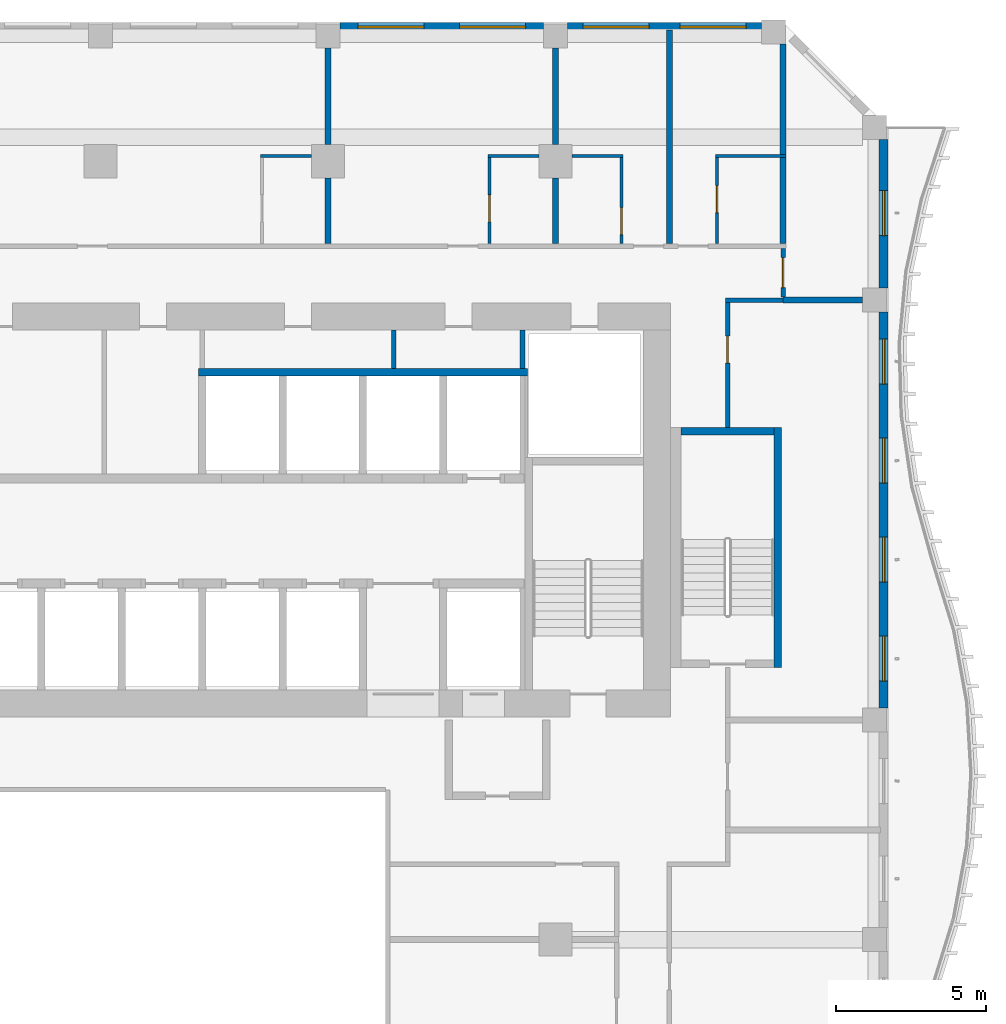
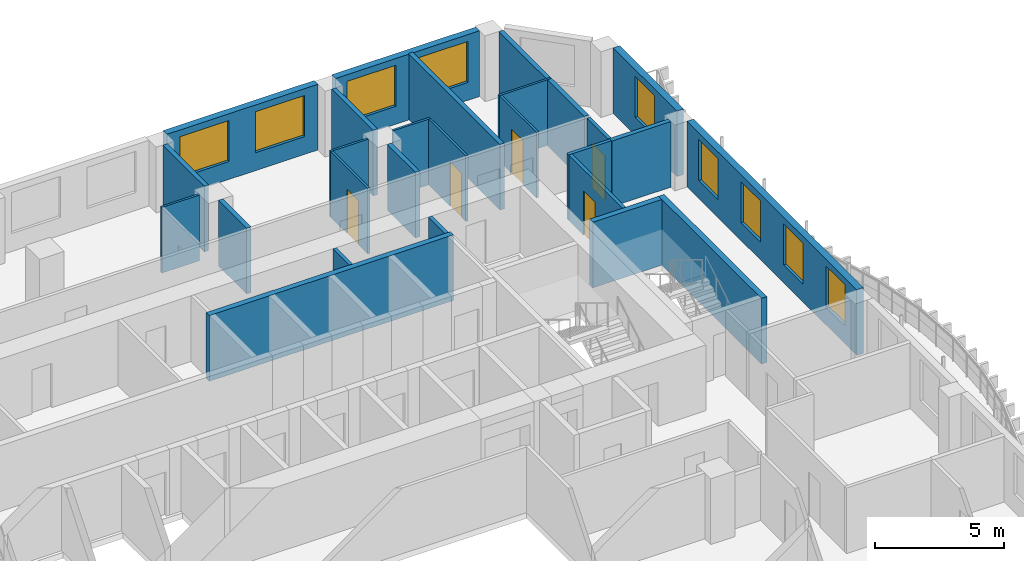
# One storey, part 9 of 22: 27 walls, 9 windows, 5 doors, 14 openings.
"""IFC4 building model written with IfcOpenShell, lengths in metres."""

import ifcopenshell
import ifcopenshell.guid

model = None  # the IFC model being written
_history = None  # IfcOwnerHistory: only IFC2X3 demands one
_inside = {}  # id of a spatial element -> (the spatial element, [elements in it])
_under = {}  # id of a project, library or spatial element -> (it, [spatial elements below it])
_declared = {}  # id of a project -> (the project, [libraries it declares])
_typed = {}  # id of a type object -> (the type object, [elements of that type])
_made_of = {}  # id of a material, layer set ... -> (it, [elements and type objects made of it])


def new_model(schema):
    """Start an empty IFC model of exactly this schema.

    Asked for "IFC4X3", IfcOpenShell would pick the latest addendum, in which some entities
    have other attributes; the version numbers below select the first issue.
    IFC2X3 requires an IfcOwnerHistory on every rooted entity: one is made here for all.
    """
    global model, _history
    if schema == "IFC4X3":
        model = ifcopenshell.file(schema_version=(4, 3, 0, 0))
    else:
        model = ifcopenshell.file(schema=schema)
    _inside.clear()
    _under.clear()
    _declared.clear()
    _typed.clear()
    _made_of.clear()
    _history = None
    if model.schema == "IFC2X3":
        org = make("IfcOrganization", Name="unknown")
        user = make(
            "IfcPersonAndOrganization",
            ThePerson=make("IfcPerson", FamilyName="unknown"),
            TheOrganization=org,
        )
        app = make(
            "IfcApplication",
            ApplicationDeveloper=org,
            Version="unknown",
            ApplicationFullName="unknown",
            ApplicationIdentifier="unknown",
        )
        _history = make(
            "IfcOwnerHistory",
            OwningUser=user,
            OwningApplication=app,
            ChangeAction="ADDED",
            CreationDate=0,
        )
    return model


def make(cls, **values):
    """One entity of the class cls with the attributes given. An attribute that is None is left unset."""
    return model.create_entity(
        cls, **{name: value for name, value in values.items() if value is not None}
    )


def rooted(cls, **values):
    """An entity with a GlobalId (a new one), such as an element, a storey or a relation."""
    return make(cls, GlobalId=ifcopenshell.guid.new(), OwnerHistory=_history, **values)


def si_unit(unit_type, name, prefix=None):
    """IfcSIUnit, for example si_unit("LENGTHUNIT", "METRE", prefix="MILLI")."""
    return make("IfcSIUnit", UnitType=unit_type, Prefix=prefix, Name=name)


def assignment(units):
    """IfcUnitAssignment: the units of a project."""
    return None if units is None else make("IfcUnitAssignment", Units=units)


def point(xyz):
    """IfcCartesianPoint."""
    return None if xyz is None else make("IfcCartesianPoint", Coordinates=xyz)


def direction(xyz):
    """IfcDirection."""
    return None if xyz is None else make("IfcDirection", DirectionRatios=xyz)


def frame(location, z_axis=None, x_axis=None):
    """IfcAxis2Placement3D, a coordinate frame: its origin and axes. An axis left out is left unset."""
    return make(
        "IfcAxis2Placement3D",
        Location=point(location),
        Axis=direction(z_axis),
        RefDirection=direction(x_axis),
    )


def frame_2d(location, x_axis=None):
    """IfcAxis2Placement2D, a coordinate frame in the plane: its origin and x axis."""
    return make(
        "IfcAxis2Placement2D", Location=point(location), RefDirection=direction(x_axis)
    )


def origin():
    """The frame at (0, 0, 0) with its axes left unset."""
    return frame((0.0, 0.0, 0.0))


def place(relative_to, where):
    """IfcLocalPlacement: puts the frame where relative to a parent placement (None: the world)."""
    return make(
        "IfcLocalPlacement", PlacementRelTo=relative_to, RelativePlacement=where
    )


def context(
    kind, dimensions, precision=None, world=None, true_north=None, identifier=None
):
    """IfcGeometricRepresentationContext, for example the 3D "Model" context."""
    return make(
        "IfcGeometricRepresentationContext",
        ContextIdentifier=identifier,
        ContextType=kind,
        CoordinateSpaceDimension=dimensions,
        Precision=precision,
        WorldCoordinateSystem=world,
        TrueNorth=true_north,
    )


def subcontext(parent, identifier, kind, view, scale=None):
    """IfcGeometricRepresentationSubContext, for example "Body" below "Model"."""
    return make(
        "IfcGeometricRepresentationSubContext",
        ContextIdentifier=identifier,
        ContextType=kind,
        ParentContext=parent,
        TargetScale=scale,
        TargetView=view,
    )


def project(units=None, contexts=None):
    """IfcProject with its units and contexts."""
    return rooted(
        "IfcProject",
        Name="project",
        RepresentationContexts=contexts,
        UnitsInContext=assignment(units),
    )


def spatial(cls, under=None, at=None, **own):
    """A site, building, storey or space (cls), placed at a placement, below another one or the project."""
    s = rooted(cls, ObjectPlacement=at, **own)
    if under is not None:
        _under.setdefault(under.id(), (under, []))[1].append(s)
    return s


def profile(cls, at=None, kind="AREA", **sizes):
    """A parametric profile (cls). Its sizes go by their IFC names, for example OverallWidth=200.0."""
    return make(cls, ProfileType=kind, Position=at, **sizes)


def rectangle(**sizes):
    """IfcRectangleProfileDef."""
    return profile("IfcRectangleProfileDef", **sizes)


def extrude(swept, where, along, depth):
    """IfcExtrudedAreaSolid: the profile swept, set in the frame where, extruded along a direction by depth."""
    return make(
        "IfcExtrudedAreaSolid",
        SweptArea=swept,
        Position=where,
        ExtrudedDirection=direction(along),
        Depth=depth,
    )


def shape(context_of_items, identifier, shape_type, items):
    """IfcShapeRepresentation: the items that make up one representation, for example the "Body"."""
    return make(
        "IfcShapeRepresentation",
        ContextOfItems=context_of_items,
        RepresentationIdentifier=identifier,
        RepresentationType=shape_type,
        Items=items,
    )


def source(mapping_origin, context_of_items, identifier, shape_type, items):
    """IfcRepresentationMap: a shape defined once, which mapped items show again and again."""
    return make(
        "IfcRepresentationMap",
        MappingOrigin=mapping_origin,
        MappedRepresentation=shape(context_of_items, identifier, shape_type, items),
    )


def transform(
    local_origin,
    x_axis=None,
    y_axis=None,
    z_axis=None,
    scale=None,
    scale2=None,
    scale3=None,
    uniform=True,
):
    """IfcCartesianTransformationOperator3D, or its non-uniform kind. x_axis, y_axis, z_axis: its Axis1, 2, 3."""
    if uniform:
        return make(
            "IfcCartesianTransformationOperator3D",
            Axis1=direction(x_axis),
            Axis2=direction(y_axis),
            LocalOrigin=point(local_origin),
            Scale=scale,
            Axis3=direction(z_axis),
        )
    return make(
        "IfcCartesianTransformationOperator3DnonUniform",
        Axis1=direction(x_axis),
        Axis2=direction(y_axis),
        LocalOrigin=point(local_origin),
        Scale=scale,
        Axis3=direction(z_axis),
        Scale2=scale2,
        Scale3=scale3,
    )


def mapped(mapping_source, mapping_target):
    """IfcMappedItem: shows the shape of a source again, moved by a transform."""
    return make(
        "IfcMappedItem", MappingSource=mapping_source, MappingTarget=mapping_target
    )


def material(Name=None, Category=None):
    """IfcMaterial."""
    return make("IfcMaterial", Name=Name, Category=Category)


def layer(
    of_material, thickness, ventilated=None, Name=None, Category=None, Priority=None
):
    """IfcMaterialLayer: one layer of a wall or slab, of a material (None: an air gap)."""
    return make(
        "IfcMaterialLayer",
        Material=of_material,
        LayerThickness=thickness,
        IsVentilated=ventilated,
        Name=Name,
        Category=Category,
        Priority=Priority,
    )


def layer_set(layers, Name=None):
    """IfcMaterialLayerSet."""
    return make("IfcMaterialLayerSet", MaterialLayers=layers, LayerSetName=Name)


def made_of(thing, what):
    """Note that an element or type object is made of a material, layer set ...; save() writes the relation."""
    if what is not None:
        _made_of.setdefault(what.id(), (what, []))[1].append(thing)
    return thing


def type_object(cls, material=None, **own):
    """A type object (cls), such as IfcWallType, which elements share."""
    return made_of(rooted(cls, **own), material)


def element(
    cls,
    number,
    at=None,
    inside=None,
    cuts=None,
    type_object=None,
    material=None,
    context=None,
    identifier="Body",
    shape_type=None,
    held_by="IfcProductDefinitionShape",
    body=None,
    shapes=None,
    **own,
):
    """One element of the class cls, such as IfcWall. Its Tag is "e" and its number.

    at: its placement. inside: the storey or other place that contains it. cuts: it is an
    opening in that element (IfcRelVoidsElement). A single representation is given by context,
    identifier, shape_type and body (its items); several are given by shapes. held_by: the class
    of the entity that holds the representations. save() writes the other relations.
    """
    e = rooted(cls, Tag="e%d" % number, ObjectPlacement=at, **own)
    if body is not None:
        shapes = [shape(context, identifier, shape_type, body)]
    if shapes is not None:
        e.Representation = make(held_by, Representations=shapes)
    if inside is not None:
        _inside.setdefault(inside.id(), (inside, []))[1].append(e)
    if cuts is not None:
        rooted(
            "IfcRelVoidsElement", RelatingBuildingElement=cuts, RelatedOpeningElement=e
        )
    if type_object is not None:
        _typed.setdefault(type_object.id(), (type_object, []))[1].append(e)
    return made_of(e, material)


def fill(opening, filler):
    """IfcRelFillsElement: the door or window that sits in an opening."""
    return rooted(
        "IfcRelFillsElement",
        RelatingOpeningElement=opening,
        RelatedBuildingElement=filler,
    )


def aggregate(whole, parts):
    """IfcRelAggregates: a whole, such as a stair, and the parts it consists of."""
    return rooted("IfcRelAggregates", RelatingObject=whole, RelatedObjects=parts)


def save(model, path):
    """Write the relations noted so far, then the file.

    IfcRelAggregates (storeys below a building ...), IfcRelContainedInSpatialStructure (elements
    in a storey), IfcRelDefinesByType, IfcRelAssociatesMaterial and IfcRelDeclares: one each for
    every whole, place, type object, material and project.
    """
    for whole, parts in _under.values():
        aggregate(whole, parts)
    for where, things in _inside.values():
        rooted(
            "IfcRelContainedInSpatialStructure",
            RelatedElements=things,
            RelatingStructure=where,
        )
    for kind, things in _typed.values():
        rooted("IfcRelDefinesByType", RelatedObjects=things, RelatingType=kind)
    for what, things in _made_of.values():
        rooted("IfcRelAssociatesMaterial", RelatedObjects=things, RelatingMaterial=what)
    for by, libraries in _declared.values():
        rooted("IfcRelDeclares", RelatingContext=by, RelatedDefinitions=libraries)
    model.write(path)


model = new_model("IFC4")

# Units and contexts
model_context = context("Model", 3, precision=1e-05, world=origin(), true_north=direction((0.0, 1.0)))
body_context = subcontext(model_context, "Body", "Model", "MODEL_VIEW")
ifc_project = project(units=[si_unit("LENGTHUNIT", "METRE"), si_unit("AREAUNIT", "SQUARE_METRE"), si_unit("VOLUMEUNIT", "CUBIC_METRE"), si_unit("PLANEANGLEUNIT", "RADIAN"), si_unit("MASSUNIT", "GRAM", prefix="KILO")], contexts=[model_context])

# Site, building, storey
site_placement = place(None, origin())
site = spatial("IfcSite", under=ifc_project, at=site_placement, CompositionType="ELEMENT")
building_placement = place(site_placement, origin())
building = spatial("IfcBuilding", under=site, at=building_placement, Name="Kilnfold Tower and Market Hall", CompositionType="ELEMENT")
storey_placement = place(building_placement, frame((0.0, 0.0, 154.10009765625)))
storey = spatial("IfcBuildingStorey", under=building, at=storey_placement, Name="L35", CompositionType="ELEMENT", Elevation=154.10009765625)

# Wall, opening, door
ifc_material_1 = material(Name="Gypsum board on steel studs", Category="steel")
ifc_layer_1 = layer(ifc_material_1, 0.14990234375)
ifc_layer_set_1 = layer_set([ifc_layer_1], Name="Gypsum board on steel studs")
wall_type_1 = type_object("IfcWallType", Name="WALL CORRIDOR 150", PredefinedType="PARTITIONING", material=ifc_layer_set_1)
wall_1_placement = place(storey_placement, frame((21.75, 22.10009765625, 0.0), z_axis=(0.0, 0.0, 1.0), x_axis=(0.0, 1.0, 0.0)))
wall_1 = element("IfcWall", 1, at=wall_1_placement, inside=storey, type_object=wall_type_1, Name="Partition LY23.22", PredefinedType="PARTITIONING", context=body_context, shape_type="SweptSolid", body=[
    extrude(rectangle(XDim=1.625, YDim=0.14990234375, at=frame_2d((0.8125, 0.0))), origin(), (0.0, 0.0, 1.0), 3.119873046875),
])
opening_1_placement = place(wall_1_placement, frame((0.31201171875, 0.0, 0.0)))
opening_1 = element("IfcOpeningElement", 2, at=opening_1_placement, cuts=wall_1, Name="Opening D4", PredefinedType="OPENING", context=body_context, shape_type="SweptSolid", body=[
    extrude(rectangle(XDim=1.0, YDim=2.10009765625, at=frame_2d((0.5, 1.050048828125))), frame((0.0, 0.0849609375, 0.0), z_axis=(0.0, -1.0, 0.0), x_axis=(1.0, 0.0, 0.0)), (0.0, 0.0, 1.0), 0.169921875),
])
ifc_material_2 = material(Name="Timber veneer door leaf in steel frame", Category="steel")
door_type_1 = type_object("IfcDoorType", Name="DOOR SERVICE 1000 X2100", OperationType="NOTDEFINED", PredefinedType="DOOR", material=ifc_material_2)
door_1_placement = place(opening_1_placement, origin())
door_1 = element("IfcDoor", 3, at=door_1_placement, inside=storey, type_object=door_type_1, Name="Door D4", OperationType="SINGLE_SWING_RIGHT", OverallHeight=2.10009765625, OverallWidth=1.0, PredefinedType="DOOR", context=body_context, shape_type="SweptSolid", body=[
    extrude(rectangle(XDim=1.0, YDim=2.10009765625, at=frame_2d((0.5, 1.050048828125))), frame((0.0, 0.02490234375, 0.0), z_axis=(0.0, -1.0, 0.0), x_axis=(1.0, 0.0, 0.0)), (0.0, 0.0, 1.0), 0.050048828125),
])
fill(opening_1, door_1)

# Wall
wall_2_placement = place(storey_placement, frame((19.824951171875, 22.0, 0.0), z_axis=(0.0, 0.0, 1.0), x_axis=(1.0, 0.0, 0.0)))
element("IfcWall", 4, at=wall_2_placement, inside=storey, type_object=wall_type_1, Name="Partition LY23.24", PredefinedType="PARTITIONING", context=body_context, shape_type="SweptSolid", body=[
    extrude(rectangle(XDim=1.925048828125, YDim=0.14990234375, at=frame_2d((0.96240234375, 0.0))), origin(), (0.0, 0.0, 1.0), 3.119873046875),
])

# Wall, opening, door
wall_3_placement = place(storey_placement, frame((19.89990234375, 17.75, 0.0), z_axis=(0.0, 0.0, 1.0), x_axis=(0.0, 1.0, 0.0)))
wall_3 = element("IfcWall", 5, at=wall_3_placement, inside=storey, type_object=wall_type_1, Name="Partition LY23.25", PredefinedType="PARTITIONING", context=body_context, shape_type="SweptSolid", body=[
    extrude(rectangle(XDim=4.175048828125, YDim=0.14990234375, at=frame_2d((2.08740234375, 0.0))), origin(), (0.0, 0.0, 1.0), 3.119873046875),
])
opening_2_placement = place(wall_3_placement, frame((2.15087890625, 0.0, 0.0)))
opening_2 = element("IfcOpeningElement", 6, at=opening_2_placement, cuts=wall_3, Name="Opening D2", PredefinedType="OPENING", context=body_context, shape_type="SweptSolid", body=[
    extrude(rectangle(XDim=0.89990234375, YDim=2.10009765625, at=frame_2d((0.449951171875, 1.050048828125))), frame((0.0, 0.0849609375, 0.0), z_axis=(0.0, -1.0, 0.0), x_axis=(1.0, 0.0, 0.0)), (0.0, 0.0, 1.0), 0.169921875),
])
ifc_material_3 = material(Name="Timber veneer door leaf in steel frame", Category="steel")
door_type_2 = type_object("IfcDoorType", Name="DOOR ROOM 900 X2100", OperationType="NOTDEFINED", PredefinedType="DOOR", material=ifc_material_3)
door_2_placement = place(opening_2_placement, origin())
door_2 = element("IfcDoor", 7, at=door_2_placement, inside=storey, type_object=door_type_2, Name="Door D2", OperationType="SINGLE_SWING_RIGHT", OverallHeight=2.10009765625, OverallWidth=0.89990234375, PredefinedType="DOOR", context=body_context, shape_type="SweptSolid", body=[
    extrude(rectangle(XDim=0.89990234375, YDim=2.10009765625, at=frame_2d((0.449951171875, 1.050048828125))), frame((0.0, 0.02490234375, 0.0), z_axis=(0.0, -1.0, 0.0), x_axis=(1.0, 0.0, 0.0)), (0.0, 0.0, 1.0), 0.050048828125),
])
fill(opening_2, door_2)

# Walls
ifc_material_4 = material(Name="Gypsum board on steel studs", Category="steel")
ifc_layer_2 = layer(ifc_material_4, 0.10009765625)
ifc_layer_set_2 = layer_set([ifc_layer_2], Name="Gypsum board on steel studs")
wall_type_2 = type_object("IfcWallType", Name="WALL PARTITION 100", PredefinedType="PARTITIONING", material=ifc_layer_set_2)
for number, where, z_axis, x_axis, name in (
    (8, (4.3330078125, 26.802001953125, 0.0), (0.0, 0.0, 1.0), (1.0, 0.0, 0.0), "Partition LY23.82"),
    (9, (11.9169921875, 26.802001953125, 0.0), (0.0, 0.0, 1.0), (1.0, 0.0, 0.0), "Partition LY23.86"),
):
    element("IfcWall", number, at=place(storey_placement, frame(where, z_axis=z_axis, x_axis=x_axis)), inside=storey, type_object=wall_type_2, Name=name, PredefinedType="PARTITIONING", context=body_context, shape_type="SweptSolid", body=[
        extrude(rectangle(XDim=1.699951171875, YDim=0.10009765625, at=frame_2d((0.85009765625, 0.0))), origin(), (0.0, 0.0, 1.0), 3.119873046875),
    ])

# Wall, opening, door
wall_4_placement = place(storey_placement, frame((11.967041015625, 23.876953125, 0.0), z_axis=(0.0, 0.0, 1.0), x_axis=(0.0, 1.0, 0.0)))
wall_4 = element("IfcWall", 10, at=wall_4_placement, inside=storey, type_object=wall_type_2, Name="Partition LY23.87", PredefinedType="PARTITIONING", context=body_context, shape_type="SweptSolid", body=[
    extrude(rectangle(XDim=2.875, YDim=0.10009765625, at=frame_2d((1.4375, 0.0))), origin(), (0.0, 0.0, 1.0), 3.119873046875),
])
opening_3_placement = place(wall_4_placement, frame((0.72509765625, 0.0, 0.0)))
opening_3 = element("IfcOpeningElement", 11, at=opening_3_placement, cuts=wall_4, Name="Opening D3", PredefinedType="OPENING", context=body_context, shape_type="SweptSolid", body=[
    extrude(rectangle(XDim=0.89990234375, YDim=2.10009765625, at=frame_2d((0.449951171875, 1.050048828125))), frame((0.0, 0.06005859375, 0.0), z_axis=(0.0, -1.0, 0.0), x_axis=(1.0, 0.0, 0.0)), (0.0, 0.0, 1.0), 0.1201171875),
])
ifc_material_5 = material(Name="Timber veneer door leaf in steel frame", Category="steel")
door_type_3 = type_object("IfcDoorType", Name="DOOR WC 900 X2100", OperationType="NOTDEFINED", PredefinedType="DOOR", material=ifc_material_5)
door_3_placement = place(opening_3_placement, origin())
door_3 = element("IfcDoor", 12, at=door_3_placement, inside=storey, type_object=door_type_3, Name="Door D3", OperationType="SINGLE_SWING_RIGHT", OverallHeight=2.10009765625, OverallWidth=0.89990234375, PredefinedType="DOOR", context=body_context, shape_type="SweptSolid", body=[
    extrude(rectangle(XDim=0.89990234375, YDim=2.10009765625, at=frame_2d((0.449951171875, 1.050048828125))), frame((0.0, 0.02490234375, 0.0), z_axis=(0.0, -1.0, 0.0), x_axis=(1.0, 0.0, 0.0)), (0.0, 0.0, 1.0), 0.050048828125),
])
fill(opening_3, door_3)

# Wall
wall_5_placement = place(storey_placement, frame((14.717041015625, 26.802001953125, 0.0), z_axis=(0.0, 0.0, 1.0), x_axis=(1.0, 0.0, 0.0)))
element("IfcWall", 13, at=wall_5_placement, inside=storey, type_object=wall_type_2, Name="Partition LY23.90", PredefinedType="PARTITIONING", context=body_context, shape_type="SweptSolid", body=[
    extrude(rectangle(XDim=1.699951171875, YDim=0.10009765625, at=frame_2d((0.85009765625, 0.0))), origin(), (0.0, 0.0, 1.0), 3.119873046875),
])

# Wall, opening, door
wall_6_placement = place(storey_placement, frame((16.366943359375, 26.751953125, 0.0), z_axis=(0.0, 0.0, 1.0), x_axis=(0.0, -1.0, 0.0)))
wall_6 = element("IfcWall", 14, at=wall_6_placement, inside=storey, type_object=wall_type_2, Name="Partition LY23.91", PredefinedType="PARTITIONING", context=body_context, shape_type="SweptSolid", body=[
    extrude(rectangle(XDim=2.875, YDim=0.10009765625, at=frame_2d((1.4375, 0.0))), origin(), (0.0, 0.0, 1.0), 3.119873046875),
])
opening_4_placement = place(wall_6_placement, frame((1.669921875, 0.0, 0.0)))
opening_4 = element("IfcOpeningElement", 15, at=opening_4_placement, cuts=wall_6, Name="Opening D3", PredefinedType="OPENING", context=body_context, shape_type="SweptSolid", body=[
    extrude(rectangle(XDim=0.89990234375, YDim=2.10009765625, at=frame_2d((0.449951171875, 1.050048828125))), frame((0.0, 0.06005859375, 0.0), z_axis=(0.0, -1.0, 0.0), x_axis=(1.0, 0.0, 0.0)), (0.0, 0.0, 1.0), 0.1201171875),
])
door_4_placement = place(opening_4_placement, origin())
door_4 = element("IfcDoor", 16, at=door_4_placement, inside=storey, type_object=door_type_3, Name="Door D3", OperationType="SINGLE_SWING_LEFT", OverallHeight=2.10009765625, OverallWidth=0.89990234375, PredefinedType="DOOR", context=body_context, shape_type="SweptSolid", body=[
    extrude(rectangle(XDim=0.89990234375, YDim=2.10009765625, at=frame_2d((0.449951171875, 1.050048828125))), frame((0.0, 0.02490234375, 0.0), z_axis=(0.0, -1.0, 0.0), x_axis=(1.0, 0.0, 0.0)), (0.0, 0.0, 1.0), 0.050048828125),
])
fill(opening_4, door_4)

# Wall
wall_7_placement = place(storey_placement, frame((19.5, 26.802001953125, 0.0), z_axis=(0.0, 0.0, 1.0), x_axis=(1.0, 0.0, 0.0)))
element("IfcWall", 17, at=wall_7_placement, inside=storey, type_object=wall_type_2, Name="Partition LY23.93", PredefinedType="PARTITIONING", context=body_context, shape_type="SweptSolid", body=[
    extrude(rectangle(XDim=2.35009765625, YDim=0.10009765625, at=frame_2d((1.175048828125, 0.0))), origin(), (0.0, 0.0, 1.0), 3.119873046875),
])

# Wall, opening, door
wall_8_placement = place(storey_placement, frame((19.550048828125, 23.876953125, 0.0), z_axis=(0.0, 0.0, 1.0), x_axis=(0.0, 1.0, 0.0)))
wall_8 = element("IfcWall", 18, at=wall_8_placement, inside=storey, type_object=wall_type_2, Name="Partition LY23.94", PredefinedType="PARTITIONING", context=body_context, shape_type="SweptSolid", body=[
    extrude(rectangle(XDim=2.875, YDim=0.10009765625, at=frame_2d((1.4375, 0.0))), origin(), (0.0, 0.0, 1.0), 3.119873046875),
])
opening_5_placement = place(wall_8_placement, frame((1.0400390625, 0.0, 0.0)))
opening_5 = element("IfcOpeningElement", 19, at=opening_5_placement, cuts=wall_8, Name="Opening D3", PredefinedType="OPENING", context=body_context, shape_type="SweptSolid", body=[
    extrude(rectangle(XDim=0.89990234375, YDim=2.10009765625, at=frame_2d((0.449951171875, 1.050048828125))), frame((0.0, 0.06005859375, 0.0), z_axis=(0.0, -1.0, 0.0), x_axis=(1.0, 0.0, 0.0)), (0.0, 0.0, 1.0), 0.1201171875),
])
door_5_placement = place(opening_5_placement, origin())
door_5 = element("IfcDoor", 20, at=door_5_placement, inside=storey, type_object=door_type_3, Name="Door D3", OperationType="SINGLE_SWING_LEFT", OverallHeight=2.10009765625, OverallWidth=0.89990234375, PredefinedType="DOOR", context=body_context, shape_type="SweptSolid", body=[
    extrude(rectangle(XDim=0.89990234375, YDim=2.10009765625, at=frame_2d((0.449951171875, 1.050048828125))), frame((0.0, 0.02490234375, 0.0), z_axis=(0.0, -1.0, 0.0), x_axis=(1.0, 0.0, 0.0)), (0.0, 0.0, 1.0), 0.050048828125),
])
fill(opening_5, door_5)

# Walls
ifc_material_6 = material(Name="Gypsum board on steel studs", Category="steel")
ifc_layer_3 = layer(ifc_material_6, 0.199951171875)
ifc_layer_set_3 = layer_set([ifc_layer_3], Name="Gypsum board on steel studs")
wall_type_3 = type_object("IfcWallType", Name="WALL PARTY 200", PredefinedType="PARTITIONING", material=ifc_layer_set_3)
wall_9_placement = place(storey_placement, frame((6.5830078125, 27.175048828125, 0.0), z_axis=(0.0, 0.0, 1.0), x_axis=(0.0, 1.0, 0.0)))
element("IfcWall", 21, at=wall_9_placement, inside=storey, type_object=wall_type_3, Name="Partition LY23.84", PredefinedType="PARTITIONING", context=body_context, shape_type="SweptSolid", body=[
    extrude(rectangle(XDim=3.224853515625, YDim=0.199951171875, at=frame_2d((1.6123046875, 0.0))), origin(), (0.0, 0.0, 1.0), 3.119873046875),
])
wall_10_placement = place(storey_placement, frame((6.5830078125, 23.876953125, 0.0), z_axis=(0.0, 0.0, 1.0), x_axis=(0.0, 1.0, 0.0)))
element("IfcWall", 22, at=wall_10_placement, inside=storey, type_object=wall_type_3, Name="Partition LY23.85", PredefinedType="PARTITIONING", context=body_context, shape_type="SweptSolid", body=[
    extrude(rectangle(XDim=2.197998046875, YDim=0.199951171875, at=frame_2d((1.09912109375, 0.0))), origin(), (0.0, 0.0, 1.0), 3.119873046875),
])
wall_11_placement = place(storey_placement, frame((14.1669921875, 27.175048828125, 0.0), z_axis=(0.0, 0.0, 1.0), x_axis=(0.0, 1.0, 0.0)))
element("IfcWall", 23, at=wall_11_placement, inside=storey, type_object=wall_type_3, Name="Partition LY23.88", PredefinedType="PARTITIONING", context=body_context, shape_type="SweptSolid", body=[
    extrude(rectangle(XDim=3.224853515625, YDim=0.199951171875, at=frame_2d((1.6123046875, 0.0))), origin(), (0.0, 0.0, 1.0), 3.119873046875),
])
wall_12_placement = place(storey_placement, frame((14.1669921875, 23.876953125, 0.0), z_axis=(0.0, 0.0, 1.0), x_axis=(0.0, 1.0, 0.0)))
element("IfcWall", 24, at=wall_12_placement, inside=storey, type_object=wall_type_3, Name="Partition LY23.89", PredefinedType="PARTITIONING", context=body_context, shape_type="SweptSolid", body=[
    extrude(rectangle(XDim=2.197998046875, YDim=0.199951171875, at=frame_2d((1.09912109375, 0.0))), origin(), (0.0, 0.0, 1.0), 3.119873046875),
])
wall_13_placement = place(storey_placement, frame((17.958984375, 23.876953125, 0.0), z_axis=(0.0, 0.0, 1.0), x_axis=(0.0, 1.0, 0.0)))
element("IfcWall", 25, at=wall_13_placement, inside=storey, type_object=wall_type_3, Name="Partition LY23.92", PredefinedType="PARTITIONING", context=body_context, shape_type="SweptSolid", body=[
    extrude(rectangle(XDim=7.123046875, YDim=0.199951171875, at=frame_2d((3.5615234375, 0.0))), origin(), (0.0, 0.0, 1.0), 3.119873046875),
])
wall_14_placement = place(storey_placement, frame((21.75, 26.85205078125, 0.0), z_axis=(0.0, 0.0, 1.0), x_axis=(0.0, 1.0, 0.0)))
element("IfcWall", 26, at=wall_14_placement, inside=storey, type_object=wall_type_3, Name="Partition LY23.95", PredefinedType="PARTITIONING", context=body_context, shape_type="SweptSolid", body=[
    extrude(rectangle(XDim=3.679931640625, YDim=0.199951171875, at=frame_2d((1.83984375, 0.0))), origin(), (0.0, 0.0, 1.0), 3.119873046875),
])
wall_15_placement = place(storey_placement, frame((21.75, 23.876953125, 0.0), z_axis=(0.0, 0.0, 1.0), x_axis=(0.0, 1.0, 0.0)))
element("IfcWall", 27, at=wall_15_placement, inside=storey, type_object=wall_type_3, Name="Partition LY23.96", PredefinedType="PARTITIONING", context=body_context, shape_type="SweptSolid", body=[
    extrude(rectangle(XDim=2.875, YDim=0.199951171875, at=frame_2d((1.4375, 0.0))), origin(), (0.0, 0.0, 1.0), 3.119873046875),
])
wall_16_placement = place(storey_placement, frame((21.751953125, 22.0, 0.0), z_axis=(0.0, 0.0, 1.0), x_axis=(1.0, 0.0, 0.0)))
element("IfcWall", 28, at=wall_16_placement, inside=storey, type_object=wall_type_3, Name="Partition LY23.97", PredefinedType="PARTITIONING", context=body_context, shape_type="SweptSolid", body=[
    extrude(rectangle(XDim=2.64794921875, YDim=0.199951171875, at=frame_2d((1.323974609375, 0.0))), origin(), (0.0, 0.0, 1.0), 3.119873046875),
])
ifc_material_7 = material(Name="Concrete C70", Category="concrete")
ifc_layer_4 = layer(ifc_material_7, 0.25)
ifc_layer_set_4 = layer_set([ifc_layer_4], Name="Concrete C70")
wall_type_4 = type_object("IfcWallType", Name="CORE WALL 250 C70", PredefinedType="SHEAR", material=ifc_layer_set_4)
shared_shape_1 = source(origin(), body_context, "Body", "SweptSolid", [
    extrude(rectangle(XDim=8.0, YDim=0.25, at=frame_2d((4.0, 0.0))), origin(), (0.0, 0.0, 1.0), 3.119873046875),
])
wall_17_placement = place(storey_placement, frame((21.574951171875, 9.75, 0.0), z_axis=(0.0, 0.0, 1.0), x_axis=(0.0, 1.0, 0.0)))
element("IfcWall", 29, at=wall_17_placement, inside=storey, type_object=wall_type_4, Name="Stair enclosure ST5", PredefinedType="SHEAR", context=body_context, shape_type="MappedRepresentation", body=[
    mapped(shared_shape_1, transform((0.0, 0.0, 0.0))),
])
shared_shape_2 = source(origin(), body_context, "Body", "SweptSolid", [
    extrude(rectangle(XDim=3.099853515625, YDim=0.25, at=frame_2d((1.5498046875, 0.0))), origin(), (0.0, 0.0, 1.0), 3.119873046875),
])
wall_18_placement = place(storey_placement, frame((18.35009765625, 17.625, 0.0), z_axis=(0.0, 0.0, 1.0), x_axis=(1.0, 0.0, 0.0)))
element("IfcWall", 30, at=wall_18_placement, inside=storey, type_object=wall_type_4, Name="Stair enclosure ST5", PredefinedType="SHEAR", context=body_context, shape_type="MappedRepresentation", body=[
    mapped(shared_shape_2, transform((0.0, 0.0, 0.0))),
])

# Wall, openings, windows
ifc_material_8 = material(Name="Precast concrete C50/60", Category="concrete")
ifc_layer_5 = layer(ifc_material_8, 0.300048828125)
ifc_layer_set_5 = layer_set([ifc_layer_5], Name="Precast concrete C50/60")
wall_type_5 = type_object("IfcWallType", Name="PRECAST WALL 300", PredefinedType="SOLIDWALL", material=ifc_layer_set_5)
shared_shape_3 = source(origin(), body_context, "Body", "SweptSolid", [
    extrude(rectangle(XDim=6.783203125, YDim=0.300048828125, at=frame_2d((3.3916015625, 0.0))), origin(), (0.0, 0.0, 1.0), 3.119873046875),
])
wall_19_placement = place(storey_placement, frame((13.7666015625, 31.10009765625, 0.0), z_axis=(0.0, 0.0, 1.0), x_axis=(-1.0, 0.0, 0.0)))
wall_19 = element("IfcWall", 31, at=wall_19_placement, inside=storey, type_object=wall_type_5, Name="External wall L35 N", PredefinedType="SOLIDWALL", context=body_context, shape_type="MappedRepresentation", body=[
    mapped(shared_shape_3, transform((0.0, 0.0, 0.0))),
])
opening_6_placement = place(wall_19_placement, frame((0.595703125, 0.0, 0.85009765625)))
opening_6 = element("IfcOpeningElement", 32, at=opening_6_placement, cuts=wall_19, Name="Opening W2", PredefinedType="OPENING", context=body_context, shape_type="SweptSolid", body=[
    extrude(rectangle(XDim=2.199951171875, YDim=1.949951171875, at=frame_2d((1.10009765625, 0.97509765625))), frame((0.0, 0.16015625, 0.0), z_axis=(0.0, -1.0, 0.0), x_axis=(1.0, 0.0, 0.0)), (0.0, 0.0, 1.0), 0.320068359375),
])
opening_7_placement = place(wall_19_placement, frame((3.987548828125, 0.0, 0.85009765625)))
opening_7 = element("IfcOpeningElement", 33, at=opening_7_placement, cuts=wall_19, Name="Opening W2", PredefinedType="OPENING", context=body_context, shape_type="SweptSolid", body=[
    extrude(rectangle(XDim=2.199951171875, YDim=1.949951171875, at=frame_2d((1.10009765625, 0.97509765625))), frame((0.0, 0.16015625, 0.0), z_axis=(0.0, -1.0, 0.0), x_axis=(1.0, 0.0, 0.0)), (0.0, 0.0, 1.0), 0.320068359375),
])
ifc_material_9 = material(Name="Aluminium frame and double glazing", Category="aluminium")
window_type_1 = type_object("IfcWindowType", Name="WINDOW W2 2200X1950", PartitioningType="SINGLE_PANEL", PredefinedType="WINDOW", material=ifc_material_9)
window_1_placement = place(opening_6_placement, origin())
window_1 = element("IfcWindow", 34, at=window_1_placement, inside=storey, type_object=window_type_1, Name="Window W2 L35 N-1", OverallHeight=1.949951171875, OverallWidth=2.199951171875, PartitioningType="SINGLE_PANEL", PredefinedType="WINDOW", context=body_context, shape_type="SweptSolid", body=[
    extrude(rectangle(XDim=2.199951171875, YDim=1.949951171875, at=frame_2d((1.10009765625, 0.97509765625))), frame((0.0, 0.030029296875, 0.0), z_axis=(0.0, -1.0, 0.0), x_axis=(1.0, 0.0, 0.0)), (0.0, 0.0, 1.0), 0.06005859375),
])
fill(opening_6, window_1)
window_2_placement = place(opening_7_placement, origin())
window_2 = element("IfcWindow", 35, at=window_2_placement, inside=storey, type_object=window_type_1, Name="Window W2 L35 N-2", OverallHeight=1.949951171875, OverallWidth=2.199951171875, PartitioningType="SINGLE_PANEL", PredefinedType="WINDOW", context=body_context, shape_type="SweptSolid", body=[
    extrude(rectangle(XDim=2.199951171875, YDim=1.949951171875, at=frame_2d((1.10009765625, 0.97509765625))), frame((0.0, 0.030029296875, 0.0), z_axis=(0.0, -1.0, 0.0), x_axis=(1.0, 0.0, 0.0)), (0.0, 0.0, 1.0), 0.06005859375),
])
fill(opening_7, window_2)

shared_shape_4 = source(origin(), body_context, "Body", "SweptSolid", [
    extrude(rectangle(XDim=13.2001953125, YDim=0.300048828125, at=frame_2d((6.60009765625, 0.0))), origin(), (0.0, 0.0, 1.0), 3.119873046875),
])
wall_20_placement = place(storey_placement, frame((25.10009765625, 8.39990234375, 0.0), z_axis=(0.0, 0.0, 1.0), x_axis=(0.0, 1.0, 0.0)))
wall_20 = element("IfcWall", 36, at=wall_20_placement, inside=storey, type_object=wall_type_5, Name="External wall L35 E", PredefinedType="SOLIDWALL", context=body_context, shape_type="MappedRepresentation", body=[
    mapped(shared_shape_4, transform((0.0, 0.0, 0.0))),
])
opening_8_placement = place(wall_20_placement, frame((0.89990234375, 0.0, 0.85009765625)))
opening_8 = element("IfcOpeningElement", 37, at=opening_8_placement, cuts=wall_20, Name="Opening W4", PredefinedType="OPENING", context=body_context, shape_type="SweptSolid", body=[
    extrude(rectangle(XDim=1.5, YDim=1.949951171875, at=frame_2d((0.75, 0.97509765625))), frame((0.0, 0.16015625, 0.0), z_axis=(0.0, -1.0, 0.0), x_axis=(1.0, 0.0, 0.0)), (0.0, 0.0, 1.0), 0.320068359375),
])
opening_9_placement = place(wall_20_placement, frame((4.199951171875, 0.0, 0.85009765625)))
opening_9 = element("IfcOpeningElement", 38, at=opening_9_placement, cuts=wall_20, Name="Opening W4", PredefinedType="OPENING", context=body_context, shape_type="SweptSolid", body=[
    extrude(rectangle(XDim=1.5, YDim=1.949951171875, at=frame_2d((0.75, 0.97509765625))), frame((0.0, 0.16015625, 0.0), z_axis=(0.0, -1.0, 0.0), x_axis=(1.0, 0.0, 0.0)), (0.0, 0.0, 1.0), 0.320068359375),
])
opening_10_placement = place(wall_20_placement, frame((7.5, 0.0, 0.85009765625)))
opening_10 = element("IfcOpeningElement", 39, at=opening_10_placement, cuts=wall_20, Name="Opening W4", PredefinedType="OPENING", context=body_context, shape_type="SweptSolid", body=[
    extrude(rectangle(XDim=1.5, YDim=1.949951171875, at=frame_2d((0.75, 0.97509765625))), frame((0.0, 0.16015625, 0.0), z_axis=(0.0, -1.0, 0.0), x_axis=(1.0, 0.0, 0.0)), (0.0, 0.0, 1.0), 0.320068359375),
])
opening_11_placement = place(wall_20_placement, frame((10.800048828125, 0.0, 0.85009765625)))
opening_11 = element("IfcOpeningElement", 40, at=opening_11_placement, cuts=wall_20, Name="Opening W4", PredefinedType="OPENING", context=body_context, shape_type="SweptSolid", body=[
    extrude(rectangle(XDim=1.5, YDim=1.949951171875, at=frame_2d((0.75, 0.97509765625))), frame((0.0, 0.16015625, 0.0), z_axis=(0.0, -1.0, 0.0), x_axis=(1.0, 0.0, 0.0)), (0.0, 0.0, 1.0), 0.320068359375),
])
ifc_material_10 = material(Name="Aluminium frame and double glazing", Category="aluminium")
window_type_2 = type_object("IfcWindowType", Name="WINDOW W4 1500X1950", PartitioningType="SINGLE_PANEL", PredefinedType="WINDOW", material=ifc_material_10)
window_3_placement = place(opening_8_placement, origin())
window_3 = element("IfcWindow", 41, at=window_3_placement, inside=storey, type_object=window_type_2, Name="Window W4 L35 E-1", OverallHeight=1.949951171875, OverallWidth=1.5, PartitioningType="SINGLE_PANEL", PredefinedType="WINDOW", context=body_context, shape_type="SweptSolid", body=[
    extrude(rectangle(XDim=1.5, YDim=1.949951171875, at=frame_2d((0.75, 0.97509765625))), frame((0.0, 0.030029296875, 0.0), z_axis=(0.0, -1.0, 0.0), x_axis=(1.0, 0.0, 0.0)), (0.0, 0.0, 1.0), 0.06005859375),
])
fill(opening_8, window_3)
window_4_placement = place(opening_9_placement, origin())
window_4 = element("IfcWindow", 42, at=window_4_placement, inside=storey, type_object=window_type_2, Name="Window W4 L35 E-2", OverallHeight=1.949951171875, OverallWidth=1.5, PartitioningType="SINGLE_PANEL", PredefinedType="WINDOW", context=body_context, shape_type="SweptSolid", body=[
    extrude(rectangle(XDim=1.5, YDim=1.949951171875, at=frame_2d((0.75, 0.97509765625))), frame((0.0, 0.030029296875, 0.0), z_axis=(0.0, -1.0, 0.0), x_axis=(1.0, 0.0, 0.0)), (0.0, 0.0, 1.0), 0.06005859375),
])
fill(opening_9, window_4)
window_5_placement = place(opening_10_placement, origin())
window_5 = element("IfcWindow", 43, at=window_5_placement, inside=storey, type_object=window_type_2, Name="Window W4 L35 E-3", OverallHeight=1.949951171875, OverallWidth=1.5, PartitioningType="SINGLE_PANEL", PredefinedType="WINDOW", context=body_context, shape_type="SweptSolid", body=[
    extrude(rectangle(XDim=1.5, YDim=1.949951171875, at=frame_2d((0.75, 0.97509765625))), frame((0.0, 0.030029296875, 0.0), z_axis=(0.0, -1.0, 0.0), x_axis=(1.0, 0.0, 0.0)), (0.0, 0.0, 1.0), 0.06005859375),
])
fill(opening_10, window_5)
window_6_placement = place(opening_11_placement, origin())
window_6 = element("IfcWindow", 44, at=window_6_placement, inside=storey, type_object=window_type_2, Name="Window W4 L35 E-4", OverallHeight=1.949951171875, OverallWidth=1.5, PartitioningType="SINGLE_PANEL", PredefinedType="WINDOW", context=body_context, shape_type="SweptSolid", body=[
    extrude(rectangle(XDim=1.5, YDim=1.949951171875, at=frame_2d((0.75, 0.97509765625))), frame((0.0, 0.030029296875, 0.0), z_axis=(0.0, -1.0, 0.0), x_axis=(1.0, 0.0, 0.0)), (0.0, 0.0, 1.0), 0.06005859375),
])
fill(opening_11, window_6)

# Wall, opening, window
shared_shape_5 = source(origin(), body_context, "Body", "SweptSolid", [
    extrude(rectangle(XDim=4.9501953125, YDim=0.300048828125, at=frame_2d((2.47509765625, 0.0))), origin(), (0.0, 0.0, 1.0), 3.119873046875),
])
wall_21_placement = place(storey_placement, frame((25.10009765625, 22.39990234375, 0.0), z_axis=(0.0, 0.0, 1.0), x_axis=(0.0, 1.0, 0.0)))
wall_21 = element("IfcWall", 45, at=wall_21_placement, inside=storey, type_object=wall_type_5, Name="External wall L35 E", PredefinedType="SOLIDWALL", context=body_context, shape_type="MappedRepresentation", body=[
    mapped(shared_shape_5, transform((0.0, 0.0, 0.0))),
])
opening_12_placement = place(wall_21_placement, frame((1.75, 0.0, 0.85009765625)))
opening_12 = element("IfcOpeningElement", 46, at=opening_12_placement, cuts=wall_21, Name="Opening W4", PredefinedType="OPENING", context=body_context, shape_type="SweptSolid", body=[
    extrude(rectangle(XDim=1.5, YDim=1.949951171875, at=frame_2d((0.75, 0.97509765625))), frame((0.0, 0.16015625, 0.0), z_axis=(0.0, -1.0, 0.0), x_axis=(1.0, 0.0, 0.0)), (0.0, 0.0, 1.0), 0.320068359375),
])
window_7_placement = place(opening_12_placement, origin())
window_7 = element("IfcWindow", 47, at=window_7_placement, inside=storey, type_object=window_type_2, Name="Window W4 L35 E-1", OverallHeight=1.949951171875, OverallWidth=1.5, PartitioningType="SINGLE_PANEL", PredefinedType="WINDOW", context=body_context, shape_type="SweptSolid", body=[
    extrude(rectangle(XDim=1.5, YDim=1.949951171875, at=frame_2d((0.75, 0.97509765625))), frame((0.0, 0.030029296875, 0.0), z_axis=(0.0, -1.0, 0.0), x_axis=(1.0, 0.0, 0.0)), (0.0, 0.0, 1.0), 0.06005859375),
])
fill(opening_12, window_7)

# Wall, openings, windows
shared_shape_6 = source(origin(), body_context, "Body", "SweptSolid", [
    extrude(rectangle(XDim=6.465087890625, YDim=0.300048828125, at=frame_2d((3.232421875, 0.0))), origin(), (0.0, 0.0, 1.0), 3.119873046875),
])
wall_22_placement = place(storey_placement, frame((21.03173828125, 31.10009765625, 0.0), z_axis=(0.0, 0.0, 1.0), x_axis=(-1.0, 0.0, 0.0)))
wall_22 = element("IfcWall", 48, at=wall_22_placement, inside=storey, type_object=wall_type_5, Name="External wall L35 N", PredefinedType="SOLIDWALL", context=body_context, shape_type="MappedRepresentation", body=[
    mapped(shared_shape_6, transform((0.0, 0.0, 0.0))),
])
opening_13_placement = place(wall_22_placement, frame((0.51611328125, 0.0, 0.85009765625)))
opening_13 = element("IfcOpeningElement", 49, at=opening_13_placement, cuts=wall_22, Name="Opening W2", PredefinedType="OPENING", context=body_context, shape_type="SweptSolid", body=[
    extrude(rectangle(XDim=2.199951171875, YDim=1.949951171875, at=frame_2d((1.10009765625, 0.97509765625))), frame((0.0, 0.16015625, 0.0), z_axis=(0.0, -1.0, 0.0), x_axis=(1.0, 0.0, 0.0)), (0.0, 0.0, 1.0), 0.320068359375),
])
opening_14_placement = place(wall_22_placement, frame((3.748779296875, 0.0, 0.85009765625)))
opening_14 = element("IfcOpeningElement", 50, at=opening_14_placement, cuts=wall_22, Name="Opening W2", PredefinedType="OPENING", context=body_context, shape_type="SweptSolid", body=[
    extrude(rectangle(XDim=2.199951171875, YDim=1.949951171875, at=frame_2d((1.10009765625, 0.97509765625))), frame((0.0, 0.16015625, 0.0), z_axis=(0.0, -1.0, 0.0), x_axis=(1.0, 0.0, 0.0)), (0.0, 0.0, 1.0), 0.320068359375),
])
window_8_placement = place(opening_13_placement, origin())
window_8 = element("IfcWindow", 51, at=window_8_placement, inside=storey, type_object=window_type_1, Name="Window W2 L35 N-1", OverallHeight=1.949951171875, OverallWidth=2.199951171875, PartitioningType="SINGLE_PANEL", PredefinedType="WINDOW", context=body_context, shape_type="SweptSolid", body=[
    extrude(rectangle(XDim=2.199951171875, YDim=1.949951171875, at=frame_2d((1.10009765625, 0.97509765625))), frame((0.0, 0.030029296875, 0.0), z_axis=(0.0, -1.0, 0.0), x_axis=(1.0, 0.0, 0.0)), (0.0, 0.0, 1.0), 0.06005859375),
])
fill(opening_13, window_8)
window_9_placement = place(opening_14_placement, origin())
window_9 = element("IfcWindow", 52, at=window_9_placement, inside=storey, type_object=window_type_1, Name="Window W2 L35 N-2", OverallHeight=1.949951171875, OverallWidth=2.199951171875, PartitioningType="SINGLE_PANEL", PredefinedType="WINDOW", context=body_context, shape_type="SweptSolid", body=[
    extrude(rectangle(XDim=2.199951171875, YDim=1.949951171875, at=frame_2d((1.10009765625, 0.97509765625))), frame((0.0, 0.030029296875, 0.0), z_axis=(0.0, -1.0, 0.0), x_axis=(1.0, 0.0, 0.0)), (0.0, 0.0, 1.0), 0.06005859375),
])
fill(opening_14, window_9)

# Walls
ifc_material_11 = material(Name="Gypsum shaft wall system")
ifc_layer_6 = layer(ifc_material_11, 0.25)
ifc_layer_set_6 = layer_set([ifc_layer_6], Name="Gypsum shaft wall system")
wall_type_6 = type_object("IfcWallType", Name="SHAFT WALL 250", PredefinedType="PARTITIONING", material=ifc_layer_set_6)
shared_shape_7 = source(origin(), body_context, "Body", "SweptSolid", [
    extrude(rectangle(XDim=10.97021484375, YDim=0.25, at=frame_2d((5.485107421875, 0.0))), origin(), (0.0, 0.0, 1.0), 3.119873046875),
])
wall_23_placement = place(storey_placement, frame((2.264892578125, 19.60009765625, 0.0), z_axis=(0.0, 0.0, 1.0), x_axis=(1.0, 0.0, 0.0)))
element("IfcWall", 53, at=wall_23_placement, inside=storey, type_object=wall_type_6, Name="Lift shaft wall", PredefinedType="PARTITIONING", context=body_context, shape_type="MappedRepresentation", body=[
    mapped(shared_shape_7, transform((0.0, 0.0, 0.0))),
])
ifc_material_12 = material(Name="Gypsum shaft wall system")
ifc_layer_7 = layer(ifc_material_12, 0.1650390625)
ifc_layer_set_7 = layer_set([ifc_layer_7], Name="Gypsum shaft wall system")
wall_type_7 = type_object("IfcWallType", Name="SHAFT WALL 165", PredefinedType="PARTITIONING", material=ifc_layer_set_7)
shared_shape_8 = source(origin(), body_context, "Body", "SweptSolid", [
    extrude(rectangle(XDim=1.27490234375, YDim=0.1650390625, at=frame_2d((0.637451171875, 0.0))), origin(), (0.0, 0.0, 1.0), 3.119873046875),
])
wall_24_placement = place(storey_placement, frame((13.0673828125, 19.72509765625, 0.0), z_axis=(0.0, 0.0, 1.0), x_axis=(0.0, 1.0, 0.0)))
element("IfcWall", 54, at=wall_24_placement, inside=storey, type_object=wall_type_7, Name="Lift shaft wall", PredefinedType="PARTITIONING", context=body_context, shape_type="MappedRepresentation", body=[
    mapped(shared_shape_8, transform((0.0, 0.0, 0.0))),
])
ifc_material_13 = material(Name="Gypsum shaft wall system")
ifc_layer_8 = layer(ifc_material_13, 0.14990234375)
ifc_layer_set_8 = layer_set([ifc_layer_8], Name="Gypsum shaft wall system")
wall_type_8 = type_object("IfcWallType", Name="ROOM WALL 150", PredefinedType="PARTITIONING", material=ifc_layer_set_8)
shared_shape_9 = source(origin(), body_context, "Body", "SweptSolid", [
    extrude(rectangle(XDim=1.27490234375, YDim=0.14990234375, at=frame_2d((0.637451171875, 0.0))), origin(), (0.0, 0.0, 1.0), 3.119873046875),
])
wall_25_placement = place(storey_placement, frame((8.768310546875, 19.72509765625, 0.0), z_axis=(0.0, 0.0, 1.0), x_axis=(0.0, 1.0, 0.0)))
element("IfcWall", 55, at=wall_25_placement, inside=storey, type_object=wall_type_8, Name="Core room wall", PredefinedType="PARTITIONING", context=body_context, shape_type="MappedRepresentation", body=[
    mapped(shared_shape_9, transform((0.0, 0.0, 0.0))),
])

save(model, "model.ifc")
